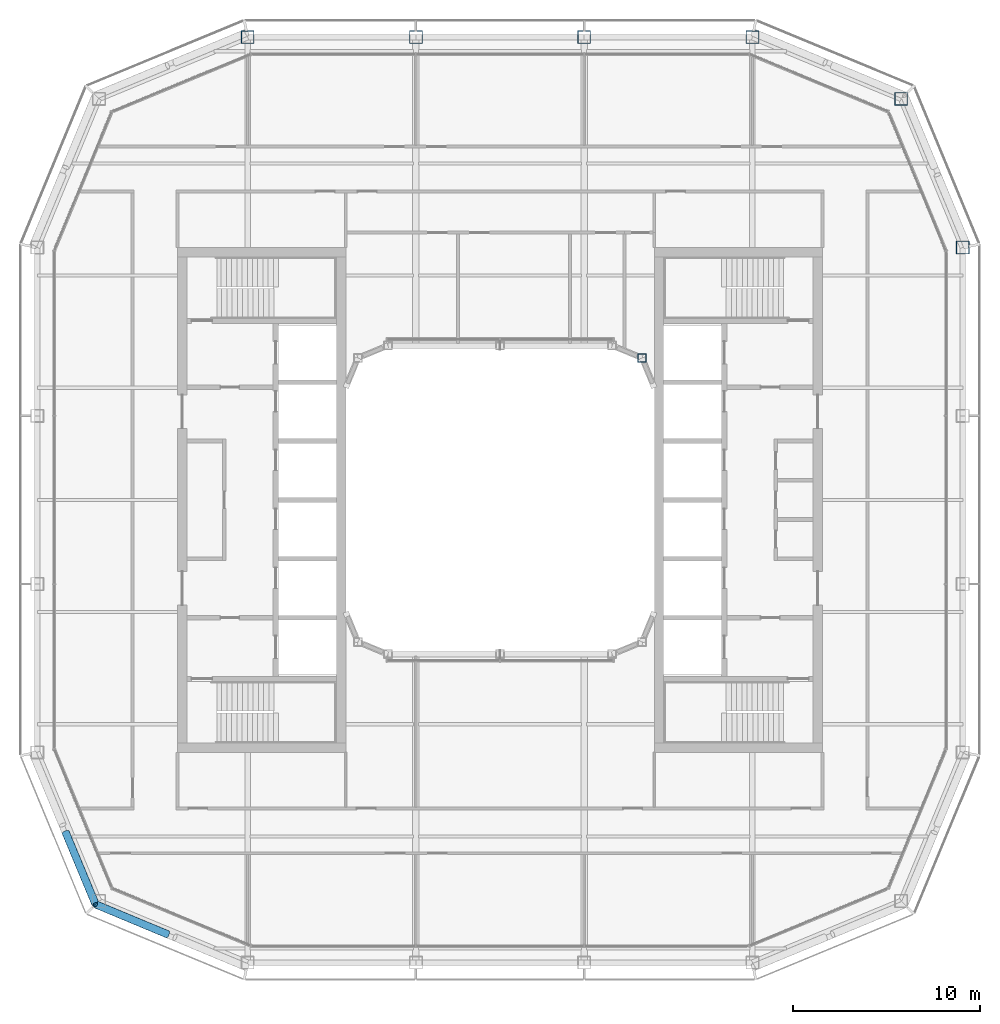
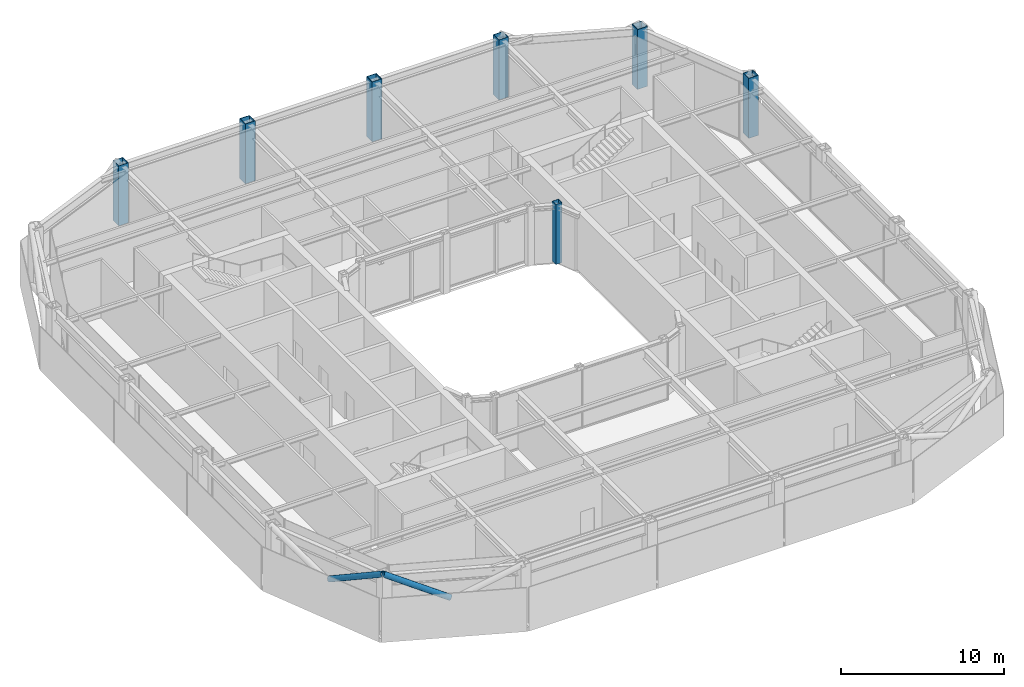
# One storey, part 2 of 18: 7 columns, 2 members.
"""IFC4 building model written with IfcOpenShell, lengths in metres."""

from ifc_helpers import new_model, si_unit, direction, frame, origin, origin_2d, place, context, subcontext, project, spatial, hollow_rectangle, hollow_circle, extrude, material, material_profile, profile_set, type_object, element, save


model = new_model("IFC4")

# Units and contexts
model_context = context("Model", 3, precision=1e-05, world=origin(), true_north=direction((0.0, 1.0)))
body_context = subcontext(model_context, "Body", "Model", "MODEL_VIEW")
ifc_project = project(units=[si_unit("LENGTHUNIT", "METRE"), si_unit("AREAUNIT", "SQUARE_METRE"), si_unit("VOLUMEUNIT", "CUBIC_METRE"), si_unit("PLANEANGLEUNIT", "RADIAN"), si_unit("MASSUNIT", "GRAM", prefix="KILO")], contexts=[model_context])

# Site, building, storey
site_placement = place(None, origin())
site = spatial("IfcSite", under=ifc_project, at=site_placement, CompositionType="ELEMENT")
building_placement = place(site_placement, origin())
building = spatial("IfcBuilding", under=site, at=building_placement, Name="Siwar Civic Tower", CompositionType="ELEMENT")
storey_placement = place(building_placement, frame((0.0, 0.0, 321.199951171875)))
storey = spatial("IfcBuildingStorey", under=building, at=storey_placement, Name="L69", CompositionType="ELEMENT", Elevation=321.199951171875)

# Columns
ifc_material_1 = material(Name="Steel S355", Category="steel")
ifc_material_profile_1 = material_profile(ifc_material_1, hollow_rectangle(XDim=0.699951171875, YDim=0.699951171875, WallThickness=0.035888671875, at=origin_2d()), Name="BOX700x700x36")
ifc_profile_set_1 = profile_set([ifc_material_profile_1], Name="Steel S355")
column_type_1 = type_object("IfcColumnType", Name="STR-COL-BOX700x700x36", PredefinedType="COLUMN", material=ifc_profile_set_1)
for number, where, z_axis, x_axis, name in (
    (1, (24.75, 13.5, 0.0), (0.0, 0.0, 1.0), (1.0, 0.0, 0.0), "L69/col/NE1-0"),
    (2, (21.454833984375, 21.454833984375, 0.0), (0.0, 0.0, 1.0), (1.0, 0.0, 0.0), "L69/col/NE2-0"),
    (3, (13.5, 24.75, 0.0), (0.0, 0.0, 1.0), (1.0, 0.0, 0.0), "L69/col/N-0"),
    (4, (4.5, 24.75, 0.0), (0.0, 0.0, 1.0), (1.0, 0.0, 0.0), "L69/col/N-1"),
    (5, (-4.5, 24.75, 0.0), (0.0, 0.0, 1.0), (1.0, 0.0, 0.0), "L69/col/N-2"),
    (6, (-13.5, 24.75, 0.0), (0.0, 0.0, 1.0), (1.0, 0.0, 0.0), "L69/col/NW1-0"),
):
    element("IfcColumn", number, at=place(storey_placement, frame(where, z_axis=z_axis, x_axis=x_axis)), inside=storey, type_object=column_type_1, Name=name, PredefinedType="COLUMN", context=body_context, shape_type="SweptSolid", body=[
        extrude(hollow_rectangle(XDim=0.699951171875, YDim=0.699951171875, WallThickness=0.035888671875, at=origin_2d()), origin(), (0.0, 0.0, 1.0), 4.5),
    ])
ifc_material_2 = material(Name="Steel S355", Category="steel")
ifc_material_profile_2 = material_profile(ifc_material_2, hollow_rectangle(XDim=0.449951171875, YDim=0.449951171875, WallThickness=0.02197265625, at=origin_2d()), Name="BOX450x450x22")
ifc_profile_set_2 = profile_set([ifc_material_profile_2], Name="Steel S355")
column_type_2 = type_object("IfcColumnType", Name="STR-ICOL-BOX450x450x22", PredefinedType="COLUMN", material=ifc_profile_set_2)
column_placement = place(storey_placement, frame((7.591064453125, 7.591064453125, 0.0), z_axis=(0.0, 0.0, 1.0), x_axis=(1.0, 0.0, 0.0)))
element("IfcColumn", 7, at=column_placement, inside=storey, type_object=column_type_2, Name="L69/col/IN-4", PredefinedType="COLUMN", context=body_context, shape_type="SweptSolid", body=[
    extrude(hollow_rectangle(XDim=0.449951171875, YDim=0.449951171875, WallThickness=0.02197265625, at=origin_2d()), origin(), (0.0, 0.0, 1.0), 4.5),
])

# Members
ifc_material_3 = material(Name="Steel S355", Category="steel")
ifc_material_profile_3 = material_profile(ifc_material_3, hollow_circle(Radius=0.203125, WallThickness=0.01611328125, at=origin_2d()), Name="CHS406.4x16")
ifc_profile_set_3 = profile_set([ifc_material_profile_3], Name="Steel S355")
member_type = type_object("IfcMemberType", Name="STR-BR-CHS406.4x16", PredefinedType="BRACE", material=ifc_profile_set_3)
for number, where, z_axis, x_axis, name in (
    (8, (-17.791259765625, -23.229736328125, 2.362060546875), (-0.821166691915, 0.341652533125, 0.457120127208), (-0.38413607648, -0.923276488787, 0.0), "L69/brc/DSW1-8-0-3"),
    (9, (-23.229736328125, -17.791259765625, 2.362060546875), (0.341652533125, -0.821166691915, 0.457120127208), (0.923276488787, 0.38413607648, 0.0), "L69/brc/DSW1-8-0-5"),
):
    element("IfcMember", number, at=place(storey_placement, frame(where, z_axis=z_axis, x_axis=x_axis)), inside=storey, type_object=member_type, Name=name, PredefinedType="BRACE", context=body_context, shape_type="SweptSolid", body=[
        extrude(hollow_circle(Radius=0.203125, WallThickness=0.01611328125, at=origin_2d()), origin(), (0.0, 0.0, 1.0), 4.677001953125),
    ])

save(model, "model.ifc")
